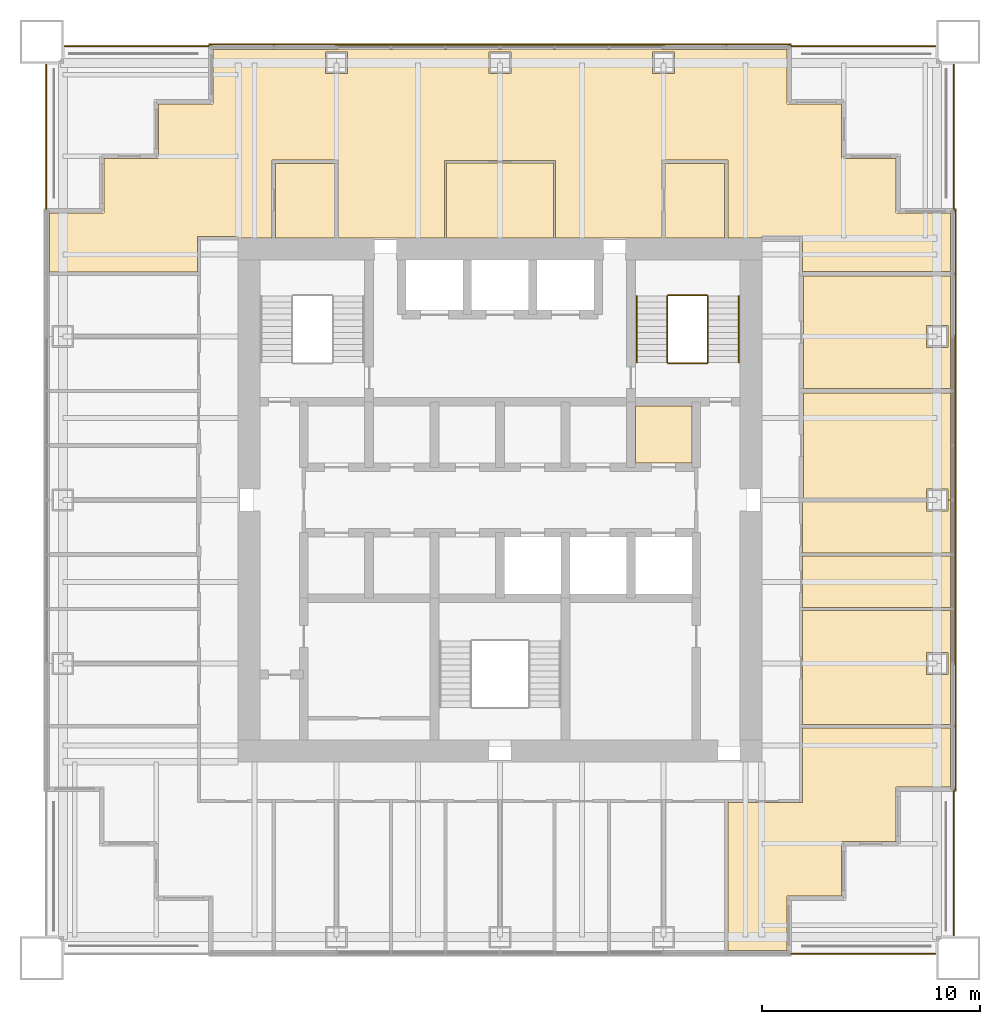
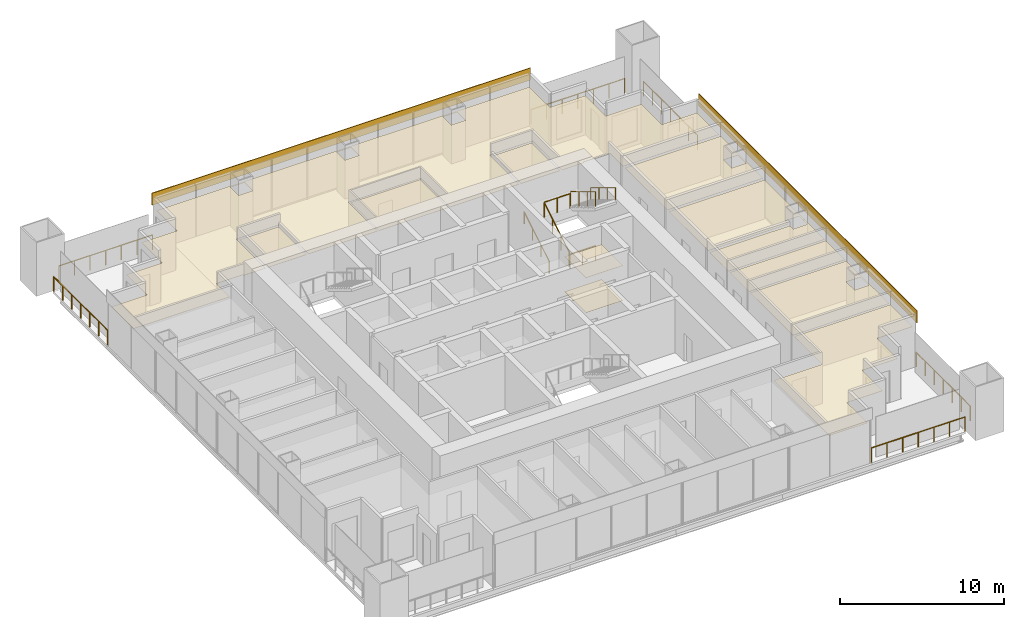
# One storey, part 14 of 14: 14 coverings, 12 railings.
"""IFC4 building model written with IfcOpenShell, lengths in metres."""

from ifc_helpers import new_model, si_unit, direction, frame, origin, origin_2d, place, context, subcontext, project, spatial, polyline, rectangle, circle, outline, extrude, material, layer, layer_set, type_object, element, save


model = new_model("IFC4")

# Units and contexts
model_context = context("Model", 3, precision=1e-05, world=origin(), true_north=direction((0.0, 1.0)))
body_context = subcontext(model_context, "Body", "Model", "MODEL_VIEW")
ifc_project = project(units=[si_unit("LENGTHUNIT", "METRE"), si_unit("AREAUNIT", "SQUARE_METRE"), si_unit("VOLUMEUNIT", "CUBIC_METRE"), si_unit("PLANEANGLEUNIT", "RADIAN"), si_unit("MASSUNIT", "GRAM", prefix="KILO")], contexts=[model_context])

# Site, building, storey
site_placement = place(None, origin())
site = spatial("IfcSite", under=ifc_project, at=site_placement, CompositionType="ELEMENT")
building_placement = place(site_placement, origin())
building = spatial("IfcBuilding", under=site, at=building_placement, Name="Tarangal Relay Tower", CompositionType="ELEMENT")
storey_placement = place(building_placement, frame((0.0, 0.0, 303.89990234375)))
storey = spatial("IfcBuildingStorey", under=building, at=storey_placement, Name="L67", CompositionType="ELEMENT", Elevation=303.89990234375)

# Coverings
ifc_material_1 = material(Name="Anti-static vinyl flooring", Category="plastic")
ifc_layer_1 = layer(ifc_material_1, 0.010009765625)
ifc_layer_set_1 = layer_set([ifc_layer_1], Name="Anti-static vinyl floor")
covering_type_1 = type_object("IfcCoveringType", Name="Anti-static vinyl floor", PredefinedType="FLOORING", material=ifc_layer_set_1)
covering_1_placement = place(storey_placement, origin())
element("IfcCovering", 1, at=covering_1_placement, inside=storey, type_object=covering_type_1, Name="Floor finish FL1 L67-T3", PredefinedType="FLOORING", context=body_context, shape_type="SweptSolid", body=[
    extrude(outline(polyline([(6.199951171875, 1.699951171875), (8.800048828125, 1.699951171875), (8.800048828125, 4.300048828125), (6.199951171875, 4.300048828125), (6.199951171875, 1.699951171875)])), origin(), (0.0, 0.0, 1.0), 0.010009765625),
])
ifc_material_2 = material(Name="Black anodised aluminium cladding", Category="aluminium")
ifc_layer_2 = layer(ifc_material_2, 0.050048828125)
ifc_layer_set_2 = layer_set([ifc_layer_2], Name="Black metal spandrel band")
covering_type_2 = type_object("IfcCoveringType", Name="Black metal spandrel band", PredefinedType="CLADDING", material=ifc_layer_set_2)
for number, where, z_axis, x_axis, name in (
    (2, (0.0, 20.875, 3.250244140625), (0.0, 0.0, 1.0), (1.0, 0.0, 0.0), "Spandrel band SB1 N L67"),
    (3, (20.875, 0.0, 3.250244140625), (0.0, 0.0, 1.0), (0.0, -1.0, 0.0), "Spandrel band SB1 E L67"),
):
    element("IfcCovering", number, at=place(storey_placement, frame(where, z_axis=z_axis, x_axis=x_axis)), inside=storey, type_object=covering_type_2, Name=name, PredefinedType="CLADDING", context=body_context, shape_type="SweptSolid", body=[
        extrude(rectangle(XDim=26.699951171875, YDim=0.050048828125, at=origin_2d()), origin(), (0.0, 0.0, 1.0), 0.89990234375),
    ])

# Railings
ifc_material_3 = material(Name="Steel guard, black finish", Category="steel")
railing_type_1 = type_object("IfcRailingType", Name="Stair guard 1100", PredefinedType="GUARDRAIL", material=ifc_material_3)
railing_1_placement = place(storey_placement, frame((7.669921875, 6.300048828125, 0.166748046875)))
element("IfcRailing", 4, at=railing_1_placement, inside=storey, type_object=railing_type_1, Name="Stair ST-B guard GR1 L67 flight 1", PredefinedType="GUARDRAIL", context=body_context, shape_type="SweptSolid", body=[
    extrude(circle(Radius=0.02392578125, at=origin_2d()), frame((0.0, 0.0, 1.076171875), z_axis=(0.0, 0.85685617095, 0.515555527858), x_axis=(-1.0, 0.0, 0.0)), (0.0, 0.0, 1.0), 3.555908203125),
    extrude(circle(Radius=0.02099609375, at=origin_2d()), origin(), (0.0, 0.0, 1.0), 1.052001953125),
    extrude(circle(Radius=0.02099609375, at=origin_2d()), frame((0.0, 1.015625, 0.611083984375)), (0.0, 0.0, 1.0), 1.052001953125),
    extrude(circle(Radius=0.02099609375, at=origin_2d()), frame((0.0, 2.03125, 1.22216796875)), (0.0, 0.0, 1.0), 1.052001953125),
    extrude(circle(Radius=0.02099609375, at=origin_2d()), frame((0.0, 3.046875, 1.833251953125)), (0.0, 0.0, 1.0), 1.052001953125),
])
railing_2_placement = place(storey_placement, frame((9.530029296875, 9.346923828125, 2.166748046875)))
element("IfcRailing", 5, at=railing_2_placement, inside=storey, type_object=railing_type_1, Name="Stair ST-B guard GR1 L67 flight 2", PredefinedType="GUARDRAIL", context=body_context, shape_type="SweptSolid", body=[
    extrude(circle(Radius=0.02392578125, at=origin_2d()), frame((0.0, 0.0, 1.076171875), z_axis=(0.0, -0.85685617095, 0.515555527858), x_axis=(1.0, 0.0, 0.0)), (0.0, 0.0, 1.0), 3.555908203125),
    extrude(circle(Radius=0.02099609375, at=origin_2d()), origin(), (0.0, 0.0, 1.0), 1.052001953125),
    extrude(circle(Radius=0.02099609375, at=origin_2d()), frame((0.0, -1.015625, 0.611083984375)), (0.0, 0.0, 1.0), 1.052001953125),
    extrude(circle(Radius=0.02099609375, at=origin_2d()), frame((0.0, -2.03125, 1.22216796875)), (0.0, 0.0, 1.0), 1.052001953125),
    extrude(circle(Radius=0.02099609375, at=origin_2d()), frame((0.0, -3.046875, 1.833251953125)), (0.0, 0.0, 1.0), 1.052001953125),
])
for number, where, name in (
    (6, (7.699951171875, 6.27001953125, 0.0), "Stair ST-B landing guard GR1 L67"),
    (7, (7.699951171875, 9.376953125, 2.0), "Stair ST-B landing guard GR1 L67"),
):
    element("IfcRailing", number, at=place(storey_placement, frame(where)), inside=storey, type_object=railing_type_1, Name=name, PredefinedType="GUARDRAIL", context=body_context, shape_type="SweptSolid", body=[
        extrude(circle(Radius=0.02392578125, at=origin_2d()), frame((0.0, 0.0, 1.076171875), z_axis=(1.0, 0.0, 0.0), x_axis=(0.0, 1.0, 0.0)), (0.0, 0.0, 1.0), 1.800048828125),
        extrude(circle(Radius=0.02099609375, at=origin_2d()), origin(), (0.0, 0.0, 1.0), 1.052001953125),
        extrude(circle(Radius=0.02099609375, at=origin_2d()), frame((0.89990234375, 0.0, 0.0)), (0.0, 0.0, 1.0), 1.052001953125),
        extrude(circle(Radius=0.02099609375, at=origin_2d()), frame((1.800048828125, 0.0, 0.0)), (0.0, 0.0, 1.0), 1.052001953125),
    ])
ifc_material_4 = material(Name="Steel handrail, black finish", Category="steel")
railing_type_2 = type_object("IfcRailingType", Name="Stair handrail 900", PredefinedType="HANDRAIL", material=ifc_material_4)
railing_3_placement = place(storey_placement, frame((6.260009765625, 6.300048828125, 0.166748046875)))
element("IfcRailing", 8, at=railing_3_placement, inside=storey, type_object=railing_type_2, Name="Stair ST-B handrail HR1 L67 flight 1", PredefinedType="HANDRAIL", context=body_context, shape_type="SweptSolid", body=[
    extrude(circle(Radius=0.02392578125, at=origin_2d()), frame((0.0, 0.0, 0.8759765625), z_axis=(0.0, 0.85685617095, 0.515555527858), x_axis=(-1.0, 0.0, 0.0)), (0.0, 0.0, 1.0), 3.555908203125),
    extrude(circle(Radius=0.02099609375, at=origin_2d()), origin(), (0.0, 0.0, 1.0), 0.851806640625),
    extrude(circle(Radius=0.02099609375, at=origin_2d()), frame((0.0, 1.015625, 0.611083984375)), (0.0, 0.0, 1.0), 0.851806640625),
    extrude(circle(Radius=0.02099609375, at=origin_2d()), frame((0.0, 2.03125, 1.22216796875)), (0.0, 0.0, 1.0), 0.851806640625),
    extrude(circle(Radius=0.02099609375, at=origin_2d()), frame((0.0, 3.046875, 1.833251953125)), (0.0, 0.0, 1.0), 0.851806640625),
])
railing_4_placement = place(storey_placement, frame((10.93994140625, 9.346923828125, 2.166748046875)))
element("IfcRailing", 9, at=railing_4_placement, inside=storey, type_object=railing_type_2, Name="Stair ST-B handrail HR1 L67 flight 2", PredefinedType="HANDRAIL", context=body_context, shape_type="SweptSolid", body=[
    extrude(circle(Radius=0.02392578125, at=origin_2d()), frame((0.0, 0.0, 0.8759765625), z_axis=(0.0, -0.85685617095, 0.515555527858), x_axis=(1.0, 0.0, 0.0)), (0.0, 0.0, 1.0), 3.555908203125),
    extrude(circle(Radius=0.02099609375, at=origin_2d()), origin(), (0.0, 0.0, 1.0), 0.851806640625),
    extrude(circle(Radius=0.02099609375, at=origin_2d()), frame((0.0, -1.015625, 0.611083984375)), (0.0, 0.0, 1.0), 0.851806640625),
    extrude(circle(Radius=0.02099609375, at=origin_2d()), frame((0.0, -2.03125, 1.22216796875)), (0.0, 0.0, 1.0), 0.851806640625),
    extrude(circle(Radius=0.02099609375, at=origin_2d()), frame((0.0, -3.046875, 1.833251953125)), (0.0, 0.0, 1.0), 0.851806640625),
])

# Coverings
ifc_material_5 = material(Name="Mineral fibre ceiling tiles", Category="gypsum")
ifc_layer_3 = layer(ifc_material_5, 0.02001953125)
ifc_layer_set_3 = layer_set([ifc_layer_3], Name="Suspended ceiling")
covering_type_3 = type_object("IfcCoveringType", Name="Suspended ceiling", PredefinedType="CEILING", material=ifc_layer_set_3)
covering_2_placement = place(storey_placement, frame((0.0, 0.0, 2.60009765625)))
element("IfcCovering", 10, at=covering_2_placement, inside=storey, type_object=covering_type_3, Name="Suspended ceiling CL1 L67-T3", PredefinedType="CEILING", context=body_context, shape_type="SweptSolid", body=[
    extrude(outline(polyline([(6.199951171875, 1.699951171875), (8.800048828125, 1.699951171875), (8.800048828125, 4.300048828125), (6.199951171875, 4.300048828125), (6.199951171875, 1.699951171875)])), origin(), (0.0, 0.0, 1.0), 0.02001953125),
])
covering_3_placement = place(storey_placement, frame((0.0, 0.0, 2.900146484375)))
element("IfcCovering", 11, at=covering_3_placement, inside=storey, type_object=covering_type_3, Name="Suspended ceiling CL1 L67-02", PredefinedType="CEILING", context=body_context, shape_type="SweptSolid", body=[
    extrude(outline(polyline([(-7.574951171875, 12.0), (-7.574951171875, 15.425048828125), (-10.300048828125, 15.425048828125), (-10.300048828125, 12.0), (-7.574951171875, 12.0)])), origin(), (0.0, 0.0, 1.0), 0.02001953125),
])
covering_4_placement = place(storey_placement, frame((0.0, 0.0, 2.900146484375)))
element("IfcCovering", 12, at=covering_4_placement, inside=storey, type_object=covering_type_3, Name="Suspended ceiling CL1 L67-03", PredefinedType="CEILING", context=body_context, shape_type="SweptSolid", body=[
    extrude(outline(polyline([(2.449951171875, 12.0), (2.449951171875, 15.449951171875), (-2.449951171875, 15.449951171875), (-2.449951171875, 12.0), (2.449951171875, 12.0)])), origin(), (0.0, 0.0, 1.0), 0.02001953125),
])
covering_5_placement = place(storey_placement, frame((0.0, 0.0, 2.900146484375)))
element("IfcCovering", 13, at=covering_5_placement, inside=storey, type_object=covering_type_3, Name="Suspended ceiling CL1 L67-04", PredefinedType="CEILING", context=body_context, shape_type="SweptSolid", body=[
    extrude(outline(polyline([(10.300048828125, 12.0), (10.300048828125, 15.425048828125), (7.574951171875, 15.425048828125), (7.574951171875, 12.0), (10.300048828125, 12.0)])), origin(), (0.0, 0.0, 1.0), 0.02001953125),
])
covering_6_placement = place(storey_placement, frame((0.0, 0.0, 2.900146484375)))
element("IfcCovering", 14, at=covering_6_placement, inside=storey, type_object=covering_type_3, Name="Suspended ceiling CL1 L67-05", PredefinedType="CEILING", context=body_context, shape_type="SweptSolid", body=[
    extrude(outline(polyline([(20.64990234375, 5.10009765625), (20.64990234375, 10.27490234375), (13.89990234375, 10.27490234375), (13.89990234375, 5.10009765625), (20.64990234375, 5.10009765625)]), holes=[polyline([(20.5400390625, 8.0), (19.5400390625, 8.0), (19.5400390625, 7.0), (20.5400390625, 7.0), (20.5400390625, 8.0)])]), origin(), (0.0, 0.0, 1.0), 0.02001953125),
])
covering_7_placement = place(storey_placement, frame((0.0, 0.0, 2.900146484375)))
element("IfcCovering", 15, at=covering_7_placement, inside=storey, type_object=covering_type_3, Name="Suspended ceiling CL1 L67-06", PredefinedType="CEILING", context=body_context, shape_type="SweptSolid", body=[
    extrude(outline(polyline([(20.64990234375, 0.0), (20.64990234375, 4.89990234375), (13.89990234375, 4.89990234375), (13.89990234375, 0.10009765625), (19.5400390625, 0.10009765625), (19.5400390625, 0.5), (20.5400390625, 0.5), (20.5400390625, 0.0), (20.64990234375, 0.0)])), origin(), (0.0, 0.0, 1.0), 0.02001953125),
])
covering_8_placement = place(storey_placement, frame((0.0, 0.0, 2.900146484375)))
element("IfcCovering", 16, at=covering_8_placement, inside=storey, type_object=covering_type_3, Name="Suspended ceiling CL1 L67-07", PredefinedType="CEILING", context=body_context, shape_type="SweptSolid", body=[
    extrude(outline(polyline([(20.64990234375, -2.425048828125), (20.64990234375, 0.0), (20.5400390625, 0.0), (20.5400390625, -0.5), (19.5400390625, -0.5), (19.5400390625, -0.10009765625), (13.875, -0.10009765625), (13.875, -2.425048828125), (20.64990234375, -2.425048828125)])), origin(), (0.0, 0.0, 1.0), 0.02001953125),
])
covering_9_placement = place(storey_placement, frame((0.0, 0.0, 2.900146484375)))
element("IfcCovering", 17, at=covering_9_placement, inside=storey, type_object=covering_type_3, Name="Suspended ceiling CL1 L67-08", PredefinedType="CEILING", context=body_context, shape_type="SweptSolid", body=[
    extrude(outline(polyline([(20.64990234375, -2.574951171875), (13.875, -2.574951171875), (13.875, -4.925048828125), (20.64990234375, -4.925048828125), (20.64990234375, -2.574951171875)])), origin(), (0.0, 0.0, 1.0), 0.02001953125),
])
covering_10_placement = place(storey_placement, frame((0.0, 0.0, 2.900146484375)))
element("IfcCovering", 18, at=covering_10_placement, inside=storey, type_object=covering_type_3, Name="Suspended ceiling CL1 L67-09", PredefinedType="CEILING", context=body_context, shape_type="SweptSolid", body=[
    extrude(outline(polyline([(20.64990234375, -10.300048828125), (20.64990234375, -5.074951171875), (13.875, -5.074951171875), (13.875, -10.300048828125), (20.64990234375, -10.300048828125)]), holes=[polyline([(20.5400390625, -7.0), (19.5400390625, -7.0), (19.5400390625, -8.0), (20.5400390625, -8.0), (20.5400390625, -7.0)])]), origin(), (0.0, 0.0, 1.0), 0.02001953125),
])
covering_11_placement = place(storey_placement, frame((0.0, 0.0, 2.900146484375)))
element("IfcCovering", 19, at=covering_11_placement, inside=storey, type_object=covering_type_3, Name="Suspended ceiling CL1 L67-26", PredefinedType="CEILING", context=body_context, shape_type="SweptSolid", body=[
    extrude(outline(polyline([(7.425048828125, 12.0), (7.425048828125, 15.574951171875), (10.449951171875, 15.574951171875), (10.449951171875, 12.0), (12.0, 12.0), (12.0, 12.074951171875), (13.875, 12.074951171875), (13.875, 10.47509765625), (20.64990234375, 10.47509765625), (20.64990234375, 13.14990234375), (18.14990234375, 13.14990234375), (18.14990234375, 15.64990234375), (15.64990234375, 15.64990234375), (15.64990234375, 18.14990234375), (13.14990234375, 18.14990234375), (13.14990234375, 20.64990234375), (-13.14990234375, 20.64990234375), (-13.14990234375, 18.14990234375), (-15.64990234375, 18.14990234375), (-15.64990234375, 15.64990234375), (-18.14990234375, 15.64990234375), (-18.14990234375, 13.14990234375), (-20.64990234375, 13.14990234375), (-20.64990234375, 10.449951171875), (-13.875, 10.449951171875), (-13.875, 12.074951171875), (-12.0, 12.074951171875), (-12.0, 12.0), (-10.449951171875, 12.0), (-10.449951171875, 15.574951171875), (-7.425048828125, 15.574951171875), (-7.425048828125, 12.0), (-2.550048828125, 12.0), (-2.550048828125, 15.550048828125), (2.550048828125, 15.550048828125), (2.550048828125, 12.0), (7.425048828125, 12.0)]), holes=[polyline([(-7.0, 19.5400390625), (-7.0, 20.5400390625), (-8.0, 20.5400390625), (-8.0, 19.5400390625), (-7.0, 19.5400390625)]), polyline([(-0.5, 19.5400390625), (0.5, 19.5400390625), (0.5, 20.5400390625), (-0.5, 20.5400390625), (-0.5, 19.5400390625)]), polyline([(7.0, 19.5400390625), (8.0, 19.5400390625), (8.0, 20.5400390625), (7.0, 20.5400390625), (7.0, 19.5400390625)])]), origin(), (0.0, 0.0, 1.0), 0.02001953125),
])
covering_12_placement = place(storey_placement, frame((0.0, 0.0, 2.900146484375)))
element("IfcCovering", 20, at=covering_12_placement, inside=storey, type_object=covering_type_3, Name="Suspended ceiling CL1 L67-27", PredefinedType="CEILING", context=body_context, shape_type="SweptSolid", body=[
    extrude(outline(polyline([(20.64990234375, -13.14990234375), (20.64990234375, -10.449951171875), (13.875, -10.449951171875), (13.875, -13.875), (10.449951171875, -13.875), (10.449951171875, -20.64990234375), (13.14990234375, -20.64990234375), (13.14990234375, -18.14990234375), (15.64990234375, -18.14990234375), (15.64990234375, -15.64990234375), (18.14990234375, -15.64990234375), (18.14990234375, -13.14990234375), (20.64990234375, -13.14990234375)])), origin(), (0.0, 0.0, 1.0), 0.02001953125),
])

# Railings
ifc_material_6 = material(Name="Black steel guard with glass infill", Category="steel")
railing_type_3 = type_object("IfcRailingType", Name="Terrace guard 1100", PredefinedType="GUARDRAIL", material=ifc_material_6)
railing_5_placement = place(storey_placement, frame((13.35009765625, 20.800048828125, 0.0)))
element("IfcRailing", 21, at=railing_5_placement, inside=storey, type_object=railing_type_3, Name="Terrace guard GR2 NE L67", PredefinedType="GUARDRAIL", context=body_context, shape_type="SweptSolid", body=[
    extrude(circle(Radius=0.02392578125, at=origin_2d()), frame((0.0, 0.0, 1.076171875), z_axis=(1.0, 0.0, 0.0), x_axis=(0.0, 1.0, 0.0)), (0.0, 0.0, 1.0), 6.599853515625),
    extrude(circle(Radius=0.02099609375, at=origin_2d()), origin(), (0.0, 0.0, 1.0), 1.052001953125),
    extrude(circle(Radius=0.02099609375, at=origin_2d()), frame((1.10009765625, 0.0, 0.0)), (0.0, 0.0, 1.0), 1.052001953125),
    extrude(circle(Radius=0.02099609375, at=origin_2d()), frame((2.199951171875, 0.0, 0.0)), (0.0, 0.0, 1.0), 1.052001953125),
    extrude(circle(Radius=0.02099609375, at=origin_2d()), frame((3.2998046875, 0.0, 0.0)), (0.0, 0.0, 1.0), 1.052001953125),
    extrude(circle(Radius=0.02099609375, at=origin_2d()), frame((4.39990234375, 0.0, 0.0)), (0.0, 0.0, 1.0), 1.052001953125),
    extrude(circle(Radius=0.02099609375, at=origin_2d()), frame((5.5, 0.0, 0.0)), (0.0, 0.0, 1.0), 1.052001953125),
    extrude(circle(Radius=0.02099609375, at=origin_2d()), frame((6.599853515625, 0.0, 0.0)), (0.0, 0.0, 1.0), 1.052001953125),
])
for number, where, name in (
    (22, (20.800048828125, 19.949951171875, 0.0), "Terrace guard GR2 NE L67"),
    (23, (20.800048828125, -13.35009765625, 0.0), "Terrace guard GR2 SE L67"),
):
    element("IfcRailing", number, at=place(storey_placement, frame(where)), inside=storey, type_object=railing_type_3, Name=name, PredefinedType="GUARDRAIL", context=body_context, shape_type="SweptSolid", body=[
        extrude(circle(Radius=0.02392578125, at=origin_2d()), frame((0.0, 0.0, 1.076171875), z_axis=(0.0, -1.0, 0.0), x_axis=(1.0, 0.0, 0.0)), (0.0, 0.0, 1.0), 6.599853515625),
        extrude(circle(Radius=0.02099609375, at=origin_2d()), origin(), (0.0, 0.0, 1.0), 1.052001953125),
        extrude(circle(Radius=0.02099609375, at=origin_2d()), frame((0.0, -1.10009765625, 0.0)), (0.0, 0.0, 1.0), 1.052001953125),
        extrude(circle(Radius=0.02099609375, at=origin_2d()), frame((0.0, -2.199951171875, 0.0)), (0.0, 0.0, 1.0), 1.052001953125),
        extrude(circle(Radius=0.02099609375, at=origin_2d()), frame((0.0, -3.2998046875, 0.0)), (0.0, 0.0, 1.0), 1.052001953125),
        extrude(circle(Radius=0.02099609375, at=origin_2d()), frame((0.0, -4.39990234375, 0.0)), (0.0, 0.0, 1.0), 1.052001953125),
        extrude(circle(Radius=0.02099609375, at=origin_2d()), frame((0.0, -5.5, 0.0)), (0.0, 0.0, 1.0), 1.052001953125),
        extrude(circle(Radius=0.02099609375, at=origin_2d()), frame((0.0, -6.599853515625, 0.0)), (0.0, 0.0, 1.0), 1.052001953125),
    ])
railing_6_placement = place(storey_placement, frame((19.949951171875, -20.800048828125, 0.0)))
element("IfcRailing", 24, at=railing_6_placement, inside=storey, type_object=railing_type_3, Name="Terrace guard GR2 SE L67", PredefinedType="GUARDRAIL", context=body_context, shape_type="SweptSolid", body=[
    extrude(circle(Radius=0.02392578125, at=origin_2d()), frame((0.0, 0.0, 1.076171875), z_axis=(-1.0, 0.0, 0.0), x_axis=(0.0, -1.0, 0.0)), (0.0, 0.0, 1.0), 6.599853515625),
    extrude(circle(Radius=0.02099609375, at=origin_2d()), origin(), (0.0, 0.0, 1.0), 1.052001953125),
    extrude(circle(Radius=0.02099609375, at=origin_2d()), frame((-1.10009765625, 0.0, 0.0)), (0.0, 0.0, 1.0), 1.052001953125),
    extrude(circle(Radius=0.02099609375, at=origin_2d()), frame((-2.199951171875, 0.0, 0.0)), (0.0, 0.0, 1.0), 1.052001953125),
    extrude(circle(Radius=0.02099609375, at=origin_2d()), frame((-3.2998046875, 0.0, 0.0)), (0.0, 0.0, 1.0), 1.052001953125),
    extrude(circle(Radius=0.02099609375, at=origin_2d()), frame((-4.39990234375, 0.0, 0.0)), (0.0, 0.0, 1.0), 1.052001953125),
    extrude(circle(Radius=0.02099609375, at=origin_2d()), frame((-5.5, 0.0, 0.0)), (0.0, 0.0, 1.0), 1.052001953125),
    extrude(circle(Radius=0.02099609375, at=origin_2d()), frame((-6.599853515625, 0.0, 0.0)), (0.0, 0.0, 1.0), 1.052001953125),
])
railing_7_placement = place(storey_placement, frame((-20.800048828125, 13.35009765625, 0.0)))
element("IfcRailing", 25, at=railing_7_placement, inside=storey, type_object=railing_type_3, Name="Terrace guard GR2 NW L67", PredefinedType="GUARDRAIL", context=body_context, shape_type="SweptSolid", body=[
    extrude(circle(Radius=0.02392578125, at=origin_2d()), frame((0.0, 0.0, 1.076171875), z_axis=(0.0, 1.0, 0.0), x_axis=(-1.0, 0.0, 0.0)), (0.0, 0.0, 1.0), 6.599853515625),
    extrude(circle(Radius=0.02099609375, at=origin_2d()), origin(), (0.0, 0.0, 1.0), 1.052001953125),
    extrude(circle(Radius=0.02099609375, at=origin_2d()), frame((0.0, 1.10009765625, 0.0)), (0.0, 0.0, 1.0), 1.052001953125),
    extrude(circle(Radius=0.02099609375, at=origin_2d()), frame((0.0, 2.199951171875, 0.0)), (0.0, 0.0, 1.0), 1.052001953125),
    extrude(circle(Radius=0.02099609375, at=origin_2d()), frame((0.0, 3.2998046875, 0.0)), (0.0, 0.0, 1.0), 1.052001953125),
    extrude(circle(Radius=0.02099609375, at=origin_2d()), frame((0.0, 4.39990234375, 0.0)), (0.0, 0.0, 1.0), 1.052001953125),
    extrude(circle(Radius=0.02099609375, at=origin_2d()), frame((0.0, 5.5, 0.0)), (0.0, 0.0, 1.0), 1.052001953125),
    extrude(circle(Radius=0.02099609375, at=origin_2d()), frame((0.0, 6.599853515625, 0.0)), (0.0, 0.0, 1.0), 1.052001953125),
])
railing_8_placement = place(storey_placement, frame((-19.949951171875, 20.800048828125, 0.0)))
element("IfcRailing", 26, at=railing_8_placement, inside=storey, type_object=railing_type_3, Name="Terrace guard GR2 NW L67", PredefinedType="GUARDRAIL", context=body_context, shape_type="SweptSolid", body=[
    extrude(circle(Radius=0.02392578125, at=origin_2d()), frame((0.0, 0.0, 1.076171875), z_axis=(1.0, 0.0, 0.0), x_axis=(0.0, 1.0, 0.0)), (0.0, 0.0, 1.0), 6.599853515625),
    extrude(circle(Radius=0.02099609375, at=origin_2d()), origin(), (0.0, 0.0, 1.0), 1.052001953125),
    extrude(circle(Radius=0.02099609375, at=origin_2d()), frame((1.10009765625, 0.0, 0.0)), (0.0, 0.0, 1.0), 1.052001953125),
    extrude(circle(Radius=0.02099609375, at=origin_2d()), frame((2.199951171875, 0.0, 0.0)), (0.0, 0.0, 1.0), 1.052001953125),
    extrude(circle(Radius=0.02099609375, at=origin_2d()), frame((3.2998046875, 0.0, 0.0)), (0.0, 0.0, 1.0), 1.052001953125),
    extrude(circle(Radius=0.02099609375, at=origin_2d()), frame((4.39990234375, 0.0, 0.0)), (0.0, 0.0, 1.0), 1.052001953125),
    extrude(circle(Radius=0.02099609375, at=origin_2d()), frame((5.5, 0.0, 0.0)), (0.0, 0.0, 1.0), 1.052001953125),
    extrude(circle(Radius=0.02099609375, at=origin_2d()), frame((6.599853515625, 0.0, 0.0)), (0.0, 0.0, 1.0), 1.052001953125),
])

save(model, "model.ifc")
